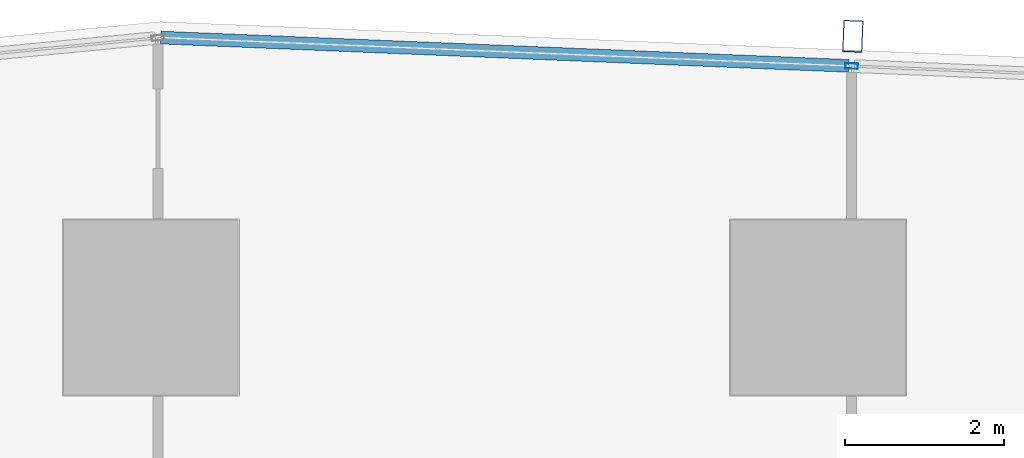
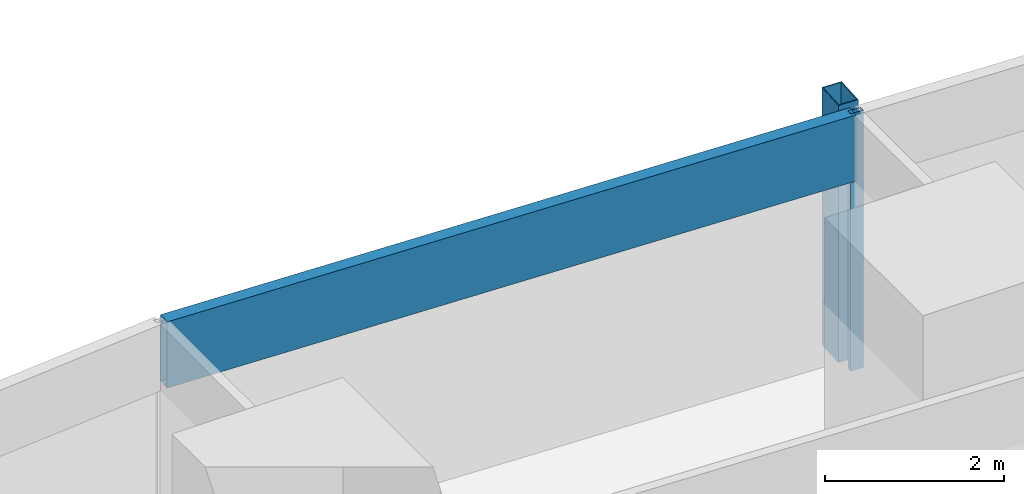
# One storey, part 18 of 44: 3 members, 1 element without a shape of its own.
"""IFC4 building model written with IfcOpenShell, lengths in metres."""

import ifcopenshell
import ifcopenshell.guid

model = None  # the IFC model being written
_history = None  # IfcOwnerHistory: only IFC2X3 demands one
_inside = {}  # id of a spatial element -> (the spatial element, [elements in it])
_under = {}  # id of a project, library or spatial element -> (it, [spatial elements below it])
_declared = {}  # id of a project -> (the project, [libraries it declares])
_typed = {}  # id of a type object -> (the type object, [elements of that type])
_made_of = {}  # id of a material, layer set ... -> (it, [elements and type objects made of it])


def new_model(schema):
    """Start an empty IFC model of exactly this schema.

    Asked for "IFC4X3", IfcOpenShell would pick the latest addendum, in which some entities
    have other attributes; the version numbers below select the first issue.
    IFC2X3 requires an IfcOwnerHistory on every rooted entity: one is made here for all.
    """
    global model, _history
    if schema == "IFC4X3":
        model = ifcopenshell.file(schema_version=(4, 3, 0, 0))
    else:
        model = ifcopenshell.file(schema=schema)
    _inside.clear()
    _under.clear()
    _declared.clear()
    _typed.clear()
    _made_of.clear()
    _history = None
    if model.schema == "IFC2X3":
        org = make("IfcOrganization", Name="unknown")
        user = make(
            "IfcPersonAndOrganization",
            ThePerson=make("IfcPerson", FamilyName="unknown"),
            TheOrganization=org,
        )
        app = make(
            "IfcApplication",
            ApplicationDeveloper=org,
            Version="unknown",
            ApplicationFullName="unknown",
            ApplicationIdentifier="unknown",
        )
        _history = make(
            "IfcOwnerHistory",
            OwningUser=user,
            OwningApplication=app,
            ChangeAction="ADDED",
            CreationDate=0,
        )
    return model


def make(cls, **values):
    """One entity of the class cls with the attributes given. An attribute that is None is left unset."""
    return model.create_entity(
        cls, **{name: value for name, value in values.items() if value is not None}
    )


def rooted(cls, **values):
    """An entity with a GlobalId (a new one), such as an element, a storey or a relation."""
    return make(cls, GlobalId=ifcopenshell.guid.new(), OwnerHistory=_history, **values)


def si_unit(unit_type, name, prefix=None):
    """IfcSIUnit, for example si_unit("LENGTHUNIT", "METRE", prefix="MILLI")."""
    return make("IfcSIUnit", UnitType=unit_type, Prefix=prefix, Name=name)


def assignment(units):
    """IfcUnitAssignment: the units of a project."""
    return None if units is None else make("IfcUnitAssignment", Units=units)


def point(xyz):
    """IfcCartesianPoint."""
    return None if xyz is None else make("IfcCartesianPoint", Coordinates=xyz)


def direction(xyz):
    """IfcDirection."""
    return None if xyz is None else make("IfcDirection", DirectionRatios=xyz)


def frame(location, z_axis=None, x_axis=None):
    """IfcAxis2Placement3D, a coordinate frame: its origin and axes. An axis left out is left unset."""
    return make(
        "IfcAxis2Placement3D",
        Location=point(location),
        Axis=direction(z_axis),
        RefDirection=direction(x_axis),
    )


def frame_2d(location, x_axis=None):
    """IfcAxis2Placement2D, a coordinate frame in the plane: its origin and x axis."""
    return make(
        "IfcAxis2Placement2D", Location=point(location), RefDirection=direction(x_axis)
    )


def origin():
    """The frame at (0, 0, 0) with its axes left unset."""
    return frame((0.0, 0.0, 0.0))


def origin_2d():
    """The frame at (0, 0) in the plane with its x axis left unset."""
    return frame_2d((0.0, 0.0))


def place(relative_to, where):
    """IfcLocalPlacement: puts the frame where relative to a parent placement (None: the world)."""
    return make(
        "IfcLocalPlacement", PlacementRelTo=relative_to, RelativePlacement=where
    )


def context(
    kind, dimensions, precision=None, world=None, true_north=None, identifier=None
):
    """IfcGeometricRepresentationContext, for example the 3D "Model" context."""
    return make(
        "IfcGeometricRepresentationContext",
        ContextIdentifier=identifier,
        ContextType=kind,
        CoordinateSpaceDimension=dimensions,
        Precision=precision,
        WorldCoordinateSystem=world,
        TrueNorth=true_north,
    )


def subcontext(parent, identifier, kind, view, scale=None):
    """IfcGeometricRepresentationSubContext, for example "Body" below "Model"."""
    return make(
        "IfcGeometricRepresentationSubContext",
        ContextIdentifier=identifier,
        ContextType=kind,
        ParentContext=parent,
        TargetScale=scale,
        TargetView=view,
    )


def project(units=None, contexts=None):
    """IfcProject with its units and contexts."""
    return rooted(
        "IfcProject",
        Name="project",
        RepresentationContexts=contexts,
        UnitsInContext=assignment(units),
    )


def spatial(cls, under=None, at=None, **own):
    """A site, building, storey or space (cls), placed at a placement, below another one or the project."""
    s = rooted(cls, ObjectPlacement=at, **own)
    if under is not None:
        _under.setdefault(under.id(), (under, []))[1].append(s)
    return s


def profile(cls, at=None, kind="AREA", **sizes):
    """A parametric profile (cls). Its sizes go by their IFC names, for example OverallWidth=200.0."""
    return make(cls, ProfileType=kind, Position=at, **sizes)


def hollow_rectangle(**sizes):
    """IfcRectangleHollowProfileDef."""
    return profile("IfcRectangleHollowProfileDef", **sizes)


def extrude(swept, where, along, depth):
    """IfcExtrudedAreaSolid: the profile swept, set in the frame where, extruded along a direction by depth."""
    return make(
        "IfcExtrudedAreaSolid",
        SweptArea=swept,
        Position=where,
        ExtrudedDirection=direction(along),
        Depth=depth,
    )


def shape(context_of_items, identifier, shape_type, items):
    """IfcShapeRepresentation: the items that make up one representation, for example the "Body"."""
    return make(
        "IfcShapeRepresentation",
        ContextOfItems=context_of_items,
        RepresentationIdentifier=identifier,
        RepresentationType=shape_type,
        Items=items,
    )


def material(Name=None, Category=None):
    """IfcMaterial."""
    return make("IfcMaterial", Name=Name, Category=Category)


def material_profile(
    of_material, cross_section, Name=None, Category=None, Priority=None
):
    """IfcMaterialProfile: a cross section and its material."""
    return make(
        "IfcMaterialProfile",
        Name=Name,
        Material=of_material,
        Profile=cross_section,
        Priority=Priority,
        Category=Category,
    )


def profile_set(profiles, Name=None, composite=None):
    """IfcMaterialProfileSet."""
    return make(
        "IfcMaterialProfileSet",
        Name=Name,
        MaterialProfiles=profiles,
        CompositeProfile=composite,
    )


def made_of(thing, what):
    """Note that an element or type object is made of a material, layer set ...; save() writes the relation."""
    if what is not None:
        _made_of.setdefault(what.id(), (what, []))[1].append(thing)
    return thing


def type_object(cls, material=None, **own):
    """A type object (cls), such as IfcWallType, which elements share."""
    return made_of(rooted(cls, **own), material)


def element(
    cls,
    number,
    at=None,
    inside=None,
    cuts=None,
    type_object=None,
    material=None,
    context=None,
    identifier="Body",
    shape_type=None,
    held_by="IfcProductDefinitionShape",
    body=None,
    shapes=None,
    **own,
):
    """One element of the class cls, such as IfcWall. Its Tag is "e" and its number.

    at: its placement. inside: the storey or other place that contains it. cuts: it is an
    opening in that element (IfcRelVoidsElement). A single representation is given by context,
    identifier, shape_type and body (its items); several are given by shapes. held_by: the class
    of the entity that holds the representations. save() writes the other relations.
    """
    e = rooted(cls, Tag="e%d" % number, ObjectPlacement=at, **own)
    if body is not None:
        shapes = [shape(context, identifier, shape_type, body)]
    if shapes is not None:
        e.Representation = make(held_by, Representations=shapes)
    if inside is not None:
        _inside.setdefault(inside.id(), (inside, []))[1].append(e)
    if cuts is not None:
        rooted(
            "IfcRelVoidsElement", RelatingBuildingElement=cuts, RelatedOpeningElement=e
        )
    if type_object is not None:
        _typed.setdefault(type_object.id(), (type_object, []))[1].append(e)
    return made_of(e, material)


def aggregate(whole, parts):
    """IfcRelAggregates: a whole, such as a stair, and the parts it consists of."""
    return rooted("IfcRelAggregates", RelatingObject=whole, RelatedObjects=parts)


def save(model, path):
    """Write the relations noted so far, then the file.

    IfcRelAggregates (storeys below a building ...), IfcRelContainedInSpatialStructure (elements
    in a storey), IfcRelDefinesByType, IfcRelAssociatesMaterial and IfcRelDeclares: one each for
    every whole, place, type object, material and project.
    """
    for whole, parts in _under.values():
        aggregate(whole, parts)
    for where, things in _inside.values():
        rooted(
            "IfcRelContainedInSpatialStructure",
            RelatedElements=things,
            RelatingStructure=where,
        )
    for kind, things in _typed.values():
        rooted("IfcRelDefinesByType", RelatedObjects=things, RelatingType=kind)
    for what, things in _made_of.values():
        rooted("IfcRelAssociatesMaterial", RelatedObjects=things, RelatingMaterial=what)
    for by, libraries in _declared.values():
        rooted("IfcRelDeclares", RelatingContext=by, RelatedDefinitions=libraries)
    model.write(path)


model = new_model("IFC4")

# Units and contexts
model_context = context("Model", 3, precision=1e-05, world=origin(), true_north=direction((0.0, 1.0)))
body_context = subcontext(model_context, "Body", "Model", "MODEL_VIEW")
ifc_project = project(units=[si_unit("LENGTHUNIT", "METRE"), si_unit("AREAUNIT", "SQUARE_METRE"), si_unit("VOLUMEUNIT", "CUBIC_METRE"), si_unit("PLANEANGLEUNIT", "RADIAN"), si_unit("MASSUNIT", "GRAM", prefix="KILO")], contexts=[model_context])

# Site, building, storey
site_placement = place(None, origin())
site = spatial("IfcSite", under=ifc_project, at=site_placement, CompositionType="ELEMENT")
building_placement = place(site_placement, origin())
building = spatial("IfcBuilding", under=site, at=building_placement, Name="Rekha Terrace Tower", CompositionType="ELEMENT")
storey_placement = place(building_placement, frame((0.0, 0.0, 74.14990234375)))
storey = spatial("IfcBuildingStorey", under=building, at=storey_placement, Name="L18", CompositionType="ELEMENT", Elevation=74.14990234375)

# Curtain wall, members
ifc_material_1 = material(Name="Aluminium framing", Category="aluminium")
curtain_wall_type = type_object("IfcCurtainWallType", Name="CW3 north unitised glazing", PredefinedType="USERDEFINED", material=ifc_material_1)
curtain_wall_placement = place(storey_placement, origin())
curtain_wall = element("IfcCurtainWall", 1, at=curtain_wall_placement, inside=storey, type_object=curtain_wall_type, Name="CW3 unitised curtain wall", ObjectType="UNITISED CURTAIN WALL", PredefinedType="USERDEFINED")
ifc_material_2 = material(Name="Steel S355 with fluorocarbon finish", Category="steel")
ifc_material_profile_1 = material_profile(ifc_material_2, hollow_rectangle(XDim=0.25, YDim=0.39990234375, WallThickness=0.012451171875, at=origin_2d()), Name="RHS400x250x12.5")
ifc_profile_set_1 = profile_set([ifc_material_profile_1], Name="Steel S355 with fluorocarbon finish")
member_type_1 = type_object("IfcMemberType", Name="BL1 facade blade RHS 400 x 250", PredefinedType="USERDEFINED", material=ifc_profile_set_1)
member_1_placement = place(storey_placement, frame((34.037353515625, 62.2158203125, 0.0), z_axis=(0.0, 0.0, 1.0), x_axis=(-0.99915196507, 0.041174636562, 0.0)))
member_1 = element("IfcMember", 2, at=member_1_placement, type_object=member_type_1, Name="Facade blade", ObjectType="FACADE BLADE", PredefinedType="USERDEFINED", context=body_context, shape_type="SweptSolid", body=[
    extrude(hollow_rectangle(XDim=0.25, YDim=0.39990234375, WallThickness=0.012451171875, at=origin_2d()), origin(), (0.0, 0.0, 1.0), 3.5),
])
ifc_material_3 = material(Name="Aluminium mullion section", Category="aluminium")
ifc_material_profile_2 = material_profile(ifc_material_3, hollow_rectangle(XDim=0.070068359375, YDim=0.159912109375, WallThickness=0.00390625, at=origin_2d()), Name="AL RHS 70x160")
ifc_profile_set_2 = profile_set([ifc_material_profile_2], Name="Aluminium mullion section")
member_type_2 = type_object("IfcMemberType", Name="CW3 mullion RHS 70 x 160", PredefinedType="MULLION", material=ifc_profile_set_2)
member_2_placement = place(storey_placement, frame((34.02197265625, 61.84130859375, 0.0), z_axis=(0.0, 0.0, 1.0), x_axis=(-0.041173846041, -0.999151997647, 0.0)))
member_2 = element("IfcMember", 3, at=member_2_placement, type_object=member_type_2, Name="CW3 mullion 5", PredefinedType="MULLION", context=body_context, shape_type="SweptSolid", body=[
    extrude(hollow_rectangle(XDim=0.070068359375, YDim=0.159912109375, WallThickness=0.00390625, at=origin_2d()), origin(), (0.0, 0.0, 1.0), 3.5),
])
ifc_material_4 = material(Name="Insulated aluminium spandrel box", Category="aluminium")
ifc_material_profile_3 = material_profile(ifc_material_4, hollow_rectangle(XDim=0.159912109375, YDim=0.89990234375, WallThickness=0.0029296875, at=origin_2d()), Name="AL SPANDREL BOX 160x900")
ifc_profile_set_3 = profile_set([ifc_material_profile_3], Name="Insulated aluminium spandrel box")
member_type_3 = type_object("IfcMemberType", Name="CW3 spandrel transom 160 x 900", PredefinedType="USERDEFINED", material=ifc_profile_set_3)
member_3_placement = place(storey_placement, frame((33.987060546875, 61.8427734375, 3.050048828125), z_axis=(-0.999152004012, 0.04117369158, 0.0), x_axis=(-0.04117369158, -0.999152004012, 0.0)))
member_3 = element("IfcMember", 4, at=member_3_placement, type_object=member_type_3, Name="CW3 spandrel transom 5", ObjectType="TRANSOM", PredefinedType="USERDEFINED", context=body_context, shape_type="SweptSolid", body=[
    extrude(hollow_rectangle(XDim=0.159912109375, YDim=0.89990234375, WallThickness=0.0029296875, at=origin_2d()), origin(), (0.0, 0.0, 1.0), 8.6689453125),
])
aggregate(curtain_wall, [member_2, member_3, member_1])

save(model, "model.ifc")
